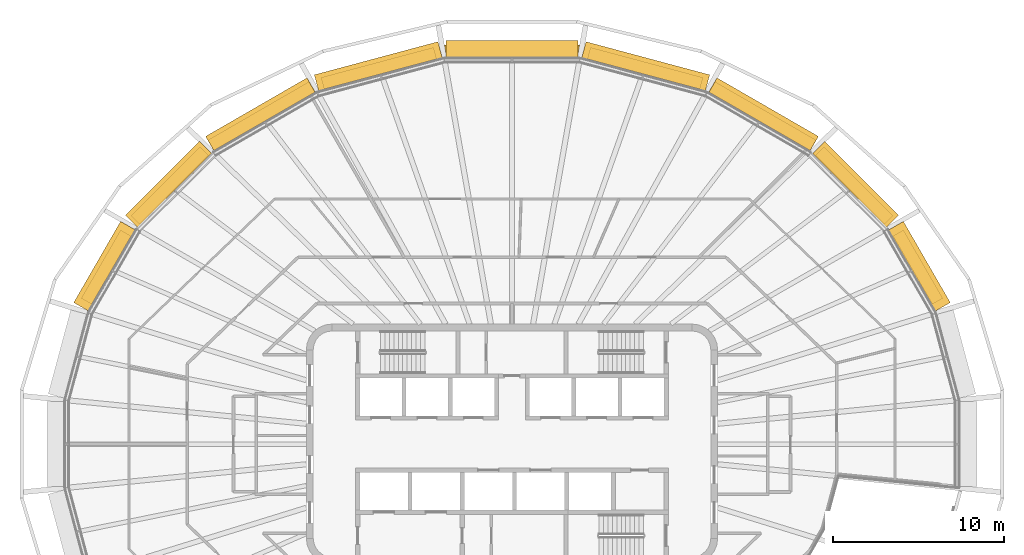
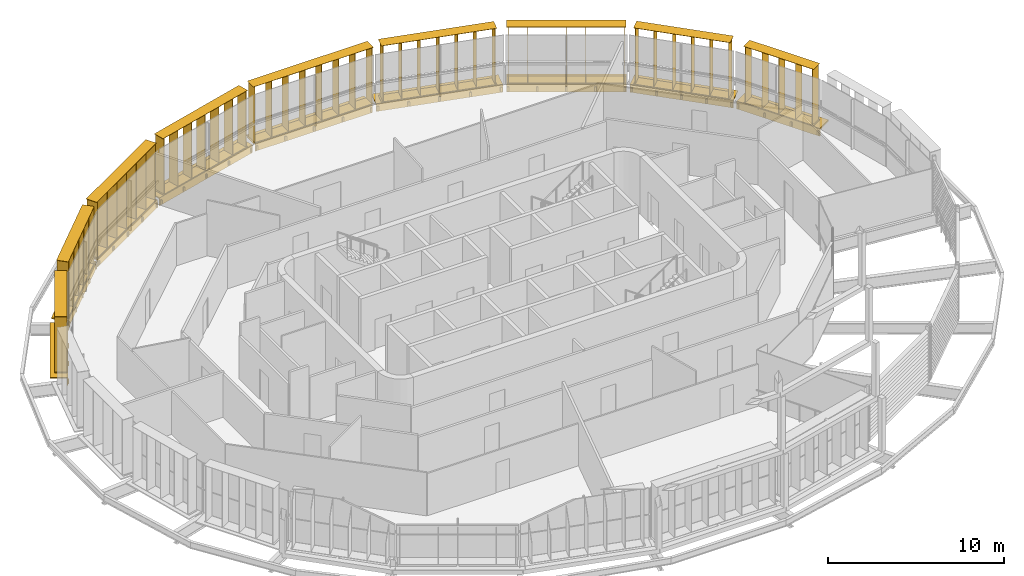
# One storey, part 18 of 18: 18 shading devices.
"""IFC4 building model written with IfcOpenShell, lengths in metres."""

from ifc_helpers import new_model, si_unit, direction, frame, origin, origin_2d, place, context, subcontext, project, spatial, rectangle, extrude, material, type_object, element, save


model = new_model("IFC4")

# Units and contexts
model_context = context("Model", 3, precision=1e-05, world=origin(), true_north=direction((0.0, 1.0)))
body_context = subcontext(model_context, "Body", "Model", "MODEL_VIEW")
ifc_project = project(units=[si_unit("LENGTHUNIT", "METRE"), si_unit("AREAUNIT", "SQUARE_METRE"), si_unit("VOLUMEUNIT", "CUBIC_METRE"), si_unit("PLANEANGLEUNIT", "RADIAN"), si_unit("MASSUNIT", "GRAM", prefix="KILO")], contexts=[model_context])

# Site, building, storey
site_placement = place(None, origin())
site = spatial("IfcSite", under=ifc_project, at=site_placement, CompositionType="ELEMENT")
building_placement = place(site_placement, origin())
building = spatial("IfcBuilding", under=site, at=building_placement, Name="Sahrelin Media Tower", CompositionType="ELEMENT")
storey_placement = place(building_placement, frame((0.0, 0.0, 308.39990234375)))
storey = spatial("IfcBuildingStorey", under=building, at=storey_placement, Name="L68", CompositionType="ELEMENT", Elevation=308.39990234375)

# Shading devices
ifc_material = material(Name="Champagne anodised aluminium 6063-T6", Category="aluminium")
shading_device_type_1 = type_object("IfcShadingDeviceType", Name="Fin cassette", PredefinedType="USERDEFINED", material=ifc_material)
placement_1 = place(storey_placement, frame((23.31787109375, 10.11181640625, 0.0), z_axis=(0.0, 0.0, 1.0), x_axis=(0.500011000363, -0.866019052629, 0.0)))
element("IfcShadingDevice", 1, at=placement_1, inside=storey, type_object=shading_device_type_1, Name="L68:FIN:L68-02", ObjectType="FIN", PredefinedType="USERDEFINED", context=body_context, shape_type="SweptSolid", body=[
    extrude(rectangle(XDim=4.60009765625, YDim=0.699951171875, at=origin_2d()), frame((0.0, 0.419921875, 0.0)), (0.0, 0.0, 1.0), 0.02001953125),
    extrude(rectangle(XDim=4.60009765625, YDim=0.699951171875, at=origin_2d()), frame((0.0, 0.419921875, 3.89990234375)), (0.0, 0.0, 1.0), 0.02001953125),
    extrude(rectangle(XDim=0.02001953125, YDim=0.699951171875, at=origin_2d()), frame((-2.199951171875, 0.419921875, 0.010009765625), z_axis=(0.0, 0.0, 1.0), x_axis=(1.0, 0.0, 0.0)), (0.0, 0.0, 1.0), 3.89990234375),
    extrude(rectangle(XDim=0.02001953125, YDim=0.699951171875, at=origin_2d()), frame((-1.10009765625, 0.419921875, 0.010009765625), z_axis=(0.0, 0.0, 1.0), x_axis=(1.0, 0.0, 0.0)), (0.0, 0.0, 1.0), 3.89990234375),
    extrude(rectangle(XDim=0.02001953125, YDim=0.699951171875, at=origin_2d()), frame((0.0, 0.419921875, 0.010009765625), z_axis=(0.0, 0.0, 1.0), x_axis=(1.0, 0.0, 0.0)), (0.0, 0.0, 1.0), 3.89990234375),
    extrude(rectangle(XDim=0.02001953125, YDim=0.699951171875, at=origin_2d()), frame((1.10009765625, 0.419921875, 0.010009765625), z_axis=(0.0, 0.0, 1.0), x_axis=(1.0, 0.0, 0.0)), (0.0, 0.0, 1.0), 3.89990234375),
    extrude(rectangle(XDim=0.02001953125, YDim=0.699951171875, at=origin_2d()), frame((2.199951171875, 0.419921875, 0.010009765625), z_axis=(0.0, 0.0, 1.0), x_axis=(1.0, 0.0, 0.0)), (0.0, 0.0, 1.0), 3.89990234375),
])
placement_2 = place(storey_placement, frame((19.677490234375, 14.789306640625, 0.0), z_axis=(0.0, 0.0, 1.0), x_axis=(0.707106781187, -0.707106781187, 0.0)))
element("IfcShadingDevice", 2, at=placement_2, inside=storey, type_object=shading_device_type_1, Name="L68:FIN:L68-03", ObjectType="FIN", PredefinedType="USERDEFINED", context=body_context, shape_type="SweptSolid", body=[
    extrude(rectangle(XDim=5.699951171875, YDim=0.699951171875, at=origin_2d()), frame((0.0, 0.419921875, 0.0)), (0.0, 0.0, 1.0), 0.02001953125),
    extrude(rectangle(XDim=5.699951171875, YDim=0.699951171875, at=origin_2d()), frame((0.0, 0.419921875, 3.89990234375)), (0.0, 0.0, 1.0), 0.02001953125),
    extrude(rectangle(XDim=0.02001953125, YDim=0.699951171875, at=origin_2d()), frame((-2.75, 0.419921875, 0.010009765625), z_axis=(0.0, 0.0, 1.0), x_axis=(1.0, 0.0, 0.0)), (0.0, 0.0, 1.0), 3.89990234375),
    extrude(rectangle(XDim=0.02001953125, YDim=0.699951171875, at=origin_2d()), frame((-1.64990234375, 0.419921875, 0.010009765625), z_axis=(0.0, 0.0, 1.0), x_axis=(1.0, 0.0, 0.0)), (0.0, 0.0, 1.0), 3.89990234375),
    extrude(rectangle(XDim=0.02001953125, YDim=0.699951171875, at=origin_2d()), frame((-0.550048828125, 0.419921875, 0.010009765625), z_axis=(0.0, 0.0, 1.0), x_axis=(1.0, 0.0, 0.0)), (0.0, 0.0, 1.0), 3.89990234375),
    extrude(rectangle(XDim=0.02001953125, YDim=0.699951171875, at=origin_2d()), frame((0.550048828125, 0.419921875, 0.010009765625), z_axis=(0.0, 0.0, 1.0), x_axis=(1.0, 0.0, 0.0)), (0.0, 0.0, 1.0), 3.89990234375),
    extrude(rectangle(XDim=0.02001953125, YDim=0.699951171875, at=origin_2d()), frame((1.64990234375, 0.419921875, 0.010009765625), z_axis=(0.0, 0.0, 1.0), x_axis=(1.0, 0.0, 0.0)), (0.0, 0.0, 1.0), 3.89990234375),
    extrude(rectangle(XDim=0.02001953125, YDim=0.699951171875, at=origin_2d()), frame((2.75, 0.419921875, 0.010009765625), z_axis=(0.0, 0.0, 1.0), x_axis=(1.0, 0.0, 0.0)), (0.0, 0.0, 1.0), 3.89990234375),
])
placement_3 = place(storey_placement, frame((14.408935546875, 18.771240234375, 0.0), z_axis=(0.0, 0.0, 1.0), x_axis=(0.866019052629, -0.500011000363, 0.0)))
element("IfcShadingDevice", 3, at=placement_3, inside=storey, type_object=shading_device_type_1, Name="L68:FIN:L68-04", ObjectType="FIN", PredefinedType="USERDEFINED", context=body_context, shape_type="SweptSolid", body=[
    extrude(rectangle(XDim=6.800048828125, YDim=0.699951171875, at=origin_2d()), frame((0.0, 0.419921875, 0.0)), (0.0, 0.0, 1.0), 0.02001953125),
    extrude(rectangle(XDim=6.800048828125, YDim=0.699951171875, at=origin_2d()), frame((0.0, 0.419921875, 3.89990234375)), (0.0, 0.0, 1.0), 0.02001953125),
    extrude(rectangle(XDim=0.02001953125, YDim=0.699951171875, at=origin_2d()), frame((-3.300048828125, 0.419921875, 0.010009765625), z_axis=(0.0, 0.0, 1.0), x_axis=(1.0, 0.0, 0.0)), (0.0, 0.0, 1.0), 3.89990234375),
    extrude(rectangle(XDim=0.02001953125, YDim=0.699951171875, at=origin_2d()), frame((-2.199951171875, 0.419921875, 0.010009765625), z_axis=(0.0, 0.0, 1.0), x_axis=(1.0, 0.0, 0.0)), (0.0, 0.0, 1.0), 3.89990234375),
    extrude(rectangle(XDim=0.02001953125, YDim=0.699951171875, at=origin_2d()), frame((-1.10009765625, 0.419921875, 0.010009765625), z_axis=(0.0, 0.0, 1.0), x_axis=(1.0, 0.0, 0.0)), (0.0, 0.0, 1.0), 3.89990234375),
    extrude(rectangle(XDim=0.02001953125, YDim=0.699951171875, at=origin_2d()), frame((0.0, 0.419921875, 0.010009765625), z_axis=(0.0, 0.0, 1.0), x_axis=(1.0, 0.0, 0.0)), (0.0, 0.0, 1.0), 3.89990234375),
    extrude(rectangle(XDim=0.02001953125, YDim=0.699951171875, at=origin_2d()), frame((1.10009765625, 0.419921875, 0.010009765625), z_axis=(0.0, 0.0, 1.0), x_axis=(1.0, 0.0, 0.0)), (0.0, 0.0, 1.0), 3.89990234375),
    extrude(rectangle(XDim=0.02001953125, YDim=0.699951171875, at=origin_2d()), frame((2.199951171875, 0.419921875, 0.010009765625), z_axis=(0.0, 0.0, 1.0), x_axis=(1.0, 0.0, 0.0)), (0.0, 0.0, 1.0), 3.89990234375),
    extrude(rectangle(XDim=0.02001953125, YDim=0.699951171875, at=origin_2d()), frame((3.300048828125, 0.419921875, 0.010009765625), z_axis=(0.0, 0.0, 1.0), x_axis=(1.0, 0.0, 0.0)), (0.0, 0.0, 1.0), 3.89990234375),
])
placement_4 = place(storey_placement, frame((7.662109375, 21.52099609375, 0.0), z_axis=(0.0, 0.0, 1.0), x_axis=(0.965928857556, -0.258807731996, 0.0)))
element("IfcShadingDevice", 4, at=placement_4, inside=storey, type_object=shading_device_type_1, Name="L68:FIN:L68-05", ObjectType="FIN", PredefinedType="USERDEFINED", context=body_context, shape_type="SweptSolid", body=[
    extrude(rectangle(XDim=6.800048828125, YDim=0.699951171875, at=origin_2d()), frame((0.0, 0.419921875, 0.0)), (0.0, 0.0, 1.0), 0.02001953125),
    extrude(rectangle(XDim=6.800048828125, YDim=0.699951171875, at=origin_2d()), frame((0.0, 0.419921875, 3.89990234375)), (0.0, 0.0, 1.0), 0.02001953125),
    extrude(rectangle(XDim=0.02001953125, YDim=0.699951171875, at=origin_2d()), frame((-3.300048828125, 0.419921875, 0.010009765625), z_axis=(0.0, 0.0, 1.0), x_axis=(1.0, 0.0, 0.0)), (0.0, 0.0, 1.0), 3.89990234375),
    extrude(rectangle(XDim=0.02001953125, YDim=0.699951171875, at=origin_2d()), frame((-2.199951171875, 0.419921875, 0.010009765625), z_axis=(0.0, 0.0, 1.0), x_axis=(1.0, 0.0, 0.0)), (0.0, 0.0, 1.0), 3.89990234375),
    extrude(rectangle(XDim=0.02001953125, YDim=0.699951171875, at=origin_2d()), frame((-1.10009765625, 0.419921875, 0.010009765625), z_axis=(0.0, 0.0, 1.0), x_axis=(1.0, 0.0, 0.0)), (0.0, 0.0, 1.0), 3.89990234375),
    extrude(rectangle(XDim=0.02001953125, YDim=0.699951171875, at=origin_2d()), frame((0.0, 0.419921875, 0.010009765625), z_axis=(0.0, 0.0, 1.0), x_axis=(1.0, 0.0, 0.0)), (0.0, 0.0, 1.0), 3.89990234375),
    extrude(rectangle(XDim=0.02001953125, YDim=0.699951171875, at=origin_2d()), frame((1.10009765625, 0.419921875, 0.010009765625), z_axis=(0.0, 0.0, 1.0), x_axis=(1.0, 0.0, 0.0)), (0.0, 0.0, 1.0), 3.89990234375),
    extrude(rectangle(XDim=0.02001953125, YDim=0.699951171875, at=origin_2d()), frame((2.199951171875, 0.419921875, 0.010009765625), z_axis=(0.0, 0.0, 1.0), x_axis=(1.0, 0.0, 0.0)), (0.0, 0.0, 1.0), 3.89990234375),
    extrude(rectangle(XDim=0.02001953125, YDim=0.699951171875, at=origin_2d()), frame((3.300048828125, 0.419921875, 0.010009765625), z_axis=(0.0, 0.0, 1.0), x_axis=(1.0, 0.0, 0.0)), (0.0, 0.0, 1.0), 3.89990234375),
])
placement_5 = place(storey_placement, frame((0.0, 22.512939453125, 0.0), z_axis=(0.0, 0.0, 1.0), x_axis=(1.0, 0.0, 0.0)))
element("IfcShadingDevice", 5, at=placement_5, inside=storey, type_object=shading_device_type_1, Name="L68:FIN:L68-06", ObjectType="FIN", PredefinedType="USERDEFINED", context=body_context, shape_type="SweptSolid", body=[
    extrude(rectangle(XDim=7.89990234375, YDim=0.699951171875, at=origin_2d()), frame((0.0, 0.419921875, 0.0)), (0.0, 0.0, 1.0), 0.02001953125),
    extrude(rectangle(XDim=7.89990234375, YDim=0.699951171875, at=origin_2d()), frame((0.0, 0.419921875, 3.89990234375)), (0.0, 0.0, 1.0), 0.02001953125),
    extrude(rectangle(XDim=0.02001953125, YDim=0.699951171875, at=origin_2d()), frame((-3.85009765625, 0.419921875, 0.010009765625), z_axis=(0.0, 0.0, 1.0), x_axis=(1.0, 0.0, 0.0)), (0.0, 0.0, 1.0), 3.89990234375),
    extrude(rectangle(XDim=0.02001953125, YDim=0.699951171875, at=origin_2d()), frame((-2.75, 0.419921875, 0.010009765625), z_axis=(0.0, 0.0, 1.0), x_axis=(1.0, 0.0, 0.0)), (0.0, 0.0, 1.0), 3.89990234375),
    extrude(rectangle(XDim=0.02001953125, YDim=0.699951171875, at=origin_2d()), frame((-1.64990234375, 0.419921875, 0.010009765625), z_axis=(0.0, 0.0, 1.0), x_axis=(1.0, 0.0, 0.0)), (0.0, 0.0, 1.0), 3.89990234375),
    extrude(rectangle(XDim=0.02001953125, YDim=0.699951171875, at=origin_2d()), frame((-0.550048828125, 0.419921875, 0.010009765625), z_axis=(0.0, 0.0, 1.0), x_axis=(1.0, 0.0, 0.0)), (0.0, 0.0, 1.0), 3.89990234375),
    extrude(rectangle(XDim=0.02001953125, YDim=0.699951171875, at=origin_2d()), frame((0.550048828125, 0.419921875, 0.010009765625), z_axis=(0.0, 0.0, 1.0), x_axis=(1.0, 0.0, 0.0)), (0.0, 0.0, 1.0), 3.89990234375),
    extrude(rectangle(XDim=0.02001953125, YDim=0.699951171875, at=origin_2d()), frame((1.64990234375, 0.419921875, 0.010009765625), z_axis=(0.0, 0.0, 1.0), x_axis=(1.0, 0.0, 0.0)), (0.0, 0.0, 1.0), 3.89990234375),
    extrude(rectangle(XDim=0.02001953125, YDim=0.699951171875, at=origin_2d()), frame((2.75, 0.419921875, 0.010009765625), z_axis=(0.0, 0.0, 1.0), x_axis=(1.0, 0.0, 0.0)), (0.0, 0.0, 1.0), 3.89990234375),
    extrude(rectangle(XDim=0.02001953125, YDim=0.699951171875, at=origin_2d()), frame((3.85009765625, 0.419921875, 0.010009765625), z_axis=(0.0, 0.0, 1.0), x_axis=(1.0, 0.0, 0.0)), (0.0, 0.0, 1.0), 3.89990234375),
])
placement_6 = place(storey_placement, frame((-7.662109375, 21.52099609375, 0.0), z_axis=(0.0, 0.0, 1.0), x_axis=(0.965928857556, 0.258807731996, 0.0)))
element("IfcShadingDevice", 6, at=placement_6, inside=storey, type_object=shading_device_type_1, Name="L68:FIN:L68-07", ObjectType="FIN", PredefinedType="USERDEFINED", context=body_context, shape_type="SweptSolid", body=[
    extrude(rectangle(XDim=6.800048828125, YDim=0.699951171875, at=origin_2d()), frame((0.0, 0.419921875, 0.0)), (0.0, 0.0, 1.0), 0.02001953125),
    extrude(rectangle(XDim=6.800048828125, YDim=0.699951171875, at=origin_2d()), frame((0.0, 0.419921875, 3.89990234375)), (0.0, 0.0, 1.0), 0.02001953125),
    extrude(rectangle(XDim=0.02001953125, YDim=0.699951171875, at=origin_2d()), frame((-3.300048828125, 0.419921875, 0.010009765625), z_axis=(0.0, 0.0, 1.0), x_axis=(1.0, 0.0, 0.0)), (0.0, 0.0, 1.0), 3.89990234375),
    extrude(rectangle(XDim=0.02001953125, YDim=0.699951171875, at=origin_2d()), frame((-2.199951171875, 0.419921875, 0.010009765625), z_axis=(0.0, 0.0, 1.0), x_axis=(1.0, 0.0, 0.0)), (0.0, 0.0, 1.0), 3.89990234375),
    extrude(rectangle(XDim=0.02001953125, YDim=0.699951171875, at=origin_2d()), frame((-1.10009765625, 0.419921875, 0.010009765625), z_axis=(0.0, 0.0, 1.0), x_axis=(1.0, 0.0, 0.0)), (0.0, 0.0, 1.0), 3.89990234375),
    extrude(rectangle(XDim=0.02001953125, YDim=0.699951171875, at=origin_2d()), frame((0.0, 0.419921875, 0.010009765625), z_axis=(0.0, 0.0, 1.0), x_axis=(1.0, 0.0, 0.0)), (0.0, 0.0, 1.0), 3.89990234375),
    extrude(rectangle(XDim=0.02001953125, YDim=0.699951171875, at=origin_2d()), frame((1.10009765625, 0.419921875, 0.010009765625), z_axis=(0.0, 0.0, 1.0), x_axis=(1.0, 0.0, 0.0)), (0.0, 0.0, 1.0), 3.89990234375),
    extrude(rectangle(XDim=0.02001953125, YDim=0.699951171875, at=origin_2d()), frame((2.199951171875, 0.419921875, 0.010009765625), z_axis=(0.0, 0.0, 1.0), x_axis=(1.0, 0.0, 0.0)), (0.0, 0.0, 1.0), 3.89990234375),
    extrude(rectangle(XDim=0.02001953125, YDim=0.699951171875, at=origin_2d()), frame((3.300048828125, 0.419921875, 0.010009765625), z_axis=(0.0, 0.0, 1.0), x_axis=(1.0, 0.0, 0.0)), (0.0, 0.0, 1.0), 3.89990234375),
])
placement_7 = place(storey_placement, frame((-14.40869140625, 18.771240234375, 0.0), z_axis=(0.0, 0.0, 1.0), x_axis=(0.866019052629, 0.500011000363, 0.0)))
element("IfcShadingDevice", 7, at=placement_7, inside=storey, type_object=shading_device_type_1, Name="L68:FIN:L68-08", ObjectType="FIN", PredefinedType="USERDEFINED", context=body_context, shape_type="SweptSolid", body=[
    extrude(rectangle(XDim=6.800048828125, YDim=0.699951171875, at=origin_2d()), frame((0.0, 0.419921875, 0.0)), (0.0, 0.0, 1.0), 0.02001953125),
    extrude(rectangle(XDim=6.800048828125, YDim=0.699951171875, at=origin_2d()), frame((0.0, 0.419921875, 3.89990234375)), (0.0, 0.0, 1.0), 0.02001953125),
    extrude(rectangle(XDim=0.02001953125, YDim=0.699951171875, at=origin_2d()), frame((-3.300048828125, 0.419921875, 0.010009765625), z_axis=(0.0, 0.0, 1.0), x_axis=(1.0, 0.0, 0.0)), (0.0, 0.0, 1.0), 3.89990234375),
    extrude(rectangle(XDim=0.02001953125, YDim=0.699951171875, at=origin_2d()), frame((-2.199951171875, 0.419921875, 0.010009765625), z_axis=(0.0, 0.0, 1.0), x_axis=(1.0, 0.0, 0.0)), (0.0, 0.0, 1.0), 3.89990234375),
    extrude(rectangle(XDim=0.02001953125, YDim=0.699951171875, at=origin_2d()), frame((-1.10009765625, 0.419921875, 0.010009765625), z_axis=(0.0, 0.0, 1.0), x_axis=(1.0, 0.0, 0.0)), (0.0, 0.0, 1.0), 3.89990234375),
    extrude(rectangle(XDim=0.02001953125, YDim=0.699951171875, at=origin_2d()), frame((0.0, 0.419921875, 0.010009765625), z_axis=(0.0, 0.0, 1.0), x_axis=(1.0, 0.0, 0.0)), (0.0, 0.0, 1.0), 3.89990234375),
    extrude(rectangle(XDim=0.02001953125, YDim=0.699951171875, at=origin_2d()), frame((1.10009765625, 0.419921875, 0.010009765625), z_axis=(0.0, 0.0, 1.0), x_axis=(1.0, 0.0, 0.0)), (0.0, 0.0, 1.0), 3.89990234375),
    extrude(rectangle(XDim=0.02001953125, YDim=0.699951171875, at=origin_2d()), frame((2.199951171875, 0.419921875, 0.010009765625), z_axis=(0.0, 0.0, 1.0), x_axis=(1.0, 0.0, 0.0)), (0.0, 0.0, 1.0), 3.89990234375),
    extrude(rectangle(XDim=0.02001953125, YDim=0.699951171875, at=origin_2d()), frame((3.300048828125, 0.419921875, 0.010009765625), z_axis=(0.0, 0.0, 1.0), x_axis=(1.0, 0.0, 0.0)), (0.0, 0.0, 1.0), 3.89990234375),
])
placement_8 = place(storey_placement, frame((-19.677490234375, 14.78955078125, 0.0), z_axis=(0.0, 0.0, 1.0), x_axis=(0.707106781187, 0.707106781187, 0.0)))
element("IfcShadingDevice", 8, at=placement_8, inside=storey, type_object=shading_device_type_1, Name="L68:FIN:L68-09", ObjectType="FIN", PredefinedType="USERDEFINED", context=body_context, shape_type="SweptSolid", body=[
    extrude(rectangle(XDim=5.699951171875, YDim=0.699951171875, at=origin_2d()), frame((0.0, 0.419921875, 0.0)), (0.0, 0.0, 1.0), 0.02001953125),
    extrude(rectangle(XDim=5.699951171875, YDim=0.699951171875, at=origin_2d()), frame((0.0, 0.419921875, 3.89990234375)), (0.0, 0.0, 1.0), 0.02001953125),
    extrude(rectangle(XDim=0.02001953125, YDim=0.699951171875, at=origin_2d()), frame((-2.75, 0.419921875, 0.010009765625), z_axis=(0.0, 0.0, 1.0), x_axis=(1.0, 0.0, 0.0)), (0.0, 0.0, 1.0), 3.89990234375),
    extrude(rectangle(XDim=0.02001953125, YDim=0.699951171875, at=origin_2d()), frame((-1.64990234375, 0.419921875, 0.010009765625), z_axis=(0.0, 0.0, 1.0), x_axis=(1.0, 0.0, 0.0)), (0.0, 0.0, 1.0), 3.89990234375),
    extrude(rectangle(XDim=0.02001953125, YDim=0.699951171875, at=origin_2d()), frame((-0.550048828125, 0.419921875, 0.010009765625), z_axis=(0.0, 0.0, 1.0), x_axis=(1.0, 0.0, 0.0)), (0.0, 0.0, 1.0), 3.89990234375),
    extrude(rectangle(XDim=0.02001953125, YDim=0.699951171875, at=origin_2d()), frame((0.550048828125, 0.419921875, 0.010009765625), z_axis=(0.0, 0.0, 1.0), x_axis=(1.0, 0.0, 0.0)), (0.0, 0.0, 1.0), 3.89990234375),
    extrude(rectangle(XDim=0.02001953125, YDim=0.699951171875, at=origin_2d()), frame((1.64990234375, 0.419921875, 0.010009765625), z_axis=(0.0, 0.0, 1.0), x_axis=(1.0, 0.0, 0.0)), (0.0, 0.0, 1.0), 3.89990234375),
    extrude(rectangle(XDim=0.02001953125, YDim=0.699951171875, at=origin_2d()), frame((2.75, 0.419921875, 0.010009765625), z_axis=(0.0, 0.0, 1.0), x_axis=(1.0, 0.0, 0.0)), (0.0, 0.0, 1.0), 3.89990234375),
])
placement_9 = place(storey_placement, frame((-23.318115234375, 10.11181640625, 0.0), z_axis=(0.0, 0.0, 1.0), x_axis=(0.500011000363, 0.866019052629, 0.0)))
element("IfcShadingDevice", 9, at=placement_9, inside=storey, type_object=shading_device_type_1, Name="L68:FIN:L68-10", ObjectType="FIN", PredefinedType="USERDEFINED", context=body_context, shape_type="SweptSolid", body=[
    extrude(rectangle(XDim=4.60009765625, YDim=0.699951171875, at=origin_2d()), frame((0.0, 0.419921875, 0.0)), (0.0, 0.0, 1.0), 0.02001953125),
    extrude(rectangle(XDim=4.60009765625, YDim=0.699951171875, at=origin_2d()), frame((0.0, 0.419921875, 3.89990234375)), (0.0, 0.0, 1.0), 0.02001953125),
    extrude(rectangle(XDim=0.02001953125, YDim=0.699951171875, at=origin_2d()), frame((-2.199951171875, 0.419921875, 0.010009765625), z_axis=(0.0, 0.0, 1.0), x_axis=(1.0, 0.0, 0.0)), (0.0, 0.0, 1.0), 3.89990234375),
    extrude(rectangle(XDim=0.02001953125, YDim=0.699951171875, at=origin_2d()), frame((-1.10009765625, 0.419921875, 0.010009765625), z_axis=(0.0, 0.0, 1.0), x_axis=(1.0, 0.0, 0.0)), (0.0, 0.0, 1.0), 3.89990234375),
    extrude(rectangle(XDim=0.02001953125, YDim=0.699951171875, at=origin_2d()), frame((0.0, 0.419921875, 0.010009765625), z_axis=(0.0, 0.0, 1.0), x_axis=(1.0, 0.0, 0.0)), (0.0, 0.0, 1.0), 3.89990234375),
    extrude(rectangle(XDim=0.02001953125, YDim=0.699951171875, at=origin_2d()), frame((1.10009765625, 0.419921875, 0.010009765625), z_axis=(0.0, 0.0, 1.0), x_axis=(1.0, 0.0, 0.0)), (0.0, 0.0, 1.0), 3.89990234375),
    extrude(rectangle(XDim=0.02001953125, YDim=0.699951171875, at=origin_2d()), frame((2.199951171875, 0.419921875, 0.010009765625), z_axis=(0.0, 0.0, 1.0), x_axis=(1.0, 0.0, 0.0)), (0.0, 0.0, 1.0), 3.89990234375),
])
shading_device_type_2 = type_object("IfcShadingDeviceType", Name="Sunshade band", PredefinedType="USERDEFINED", material=ifc_material)
element("IfcShadingDevice", 10, at=placement_1, inside=storey, type_object=shading_device_type_2, Name="L68:SUN:L68-02", ObjectType="SUNSHADE", PredefinedType="USERDEFINED", context=body_context, shape_type="SweptSolid", body=[
    extrude(rectangle(XDim=5.46630859375, YDim=0.050048828125, at=origin_2d()), frame((0.0, 0.044921875, -0.55126953125)), (0.0, 0.0, 1.0), 0.471435546875),
    extrude(rectangle(XDim=5.46630859375, YDim=1.0, at=origin_2d()), frame((0.0, 0.52001953125, -0.080078125)), (0.0, 0.0, 1.0), 0.080078125),
    extrude(rectangle(XDim=0.10009765625, YDim=0.074951171875, at=origin_2d()), frame((-2.63330078125, -0.017578125, -0.47021484375)), (0.0, 0.0, 1.0), 0.300048828125),
    extrude(rectangle(XDim=0.10009765625, YDim=0.074951171875, at=origin_2d()), frame((-0.877685546875, -0.017578125, -0.47021484375)), (0.0, 0.0, 1.0), 0.300048828125),
    extrude(rectangle(XDim=0.10009765625, YDim=0.074951171875, at=origin_2d()), frame((0.877685546875, -0.017578125, -0.47021484375)), (0.0, 0.0, 1.0), 0.300048828125),
    extrude(rectangle(XDim=0.10009765625, YDim=0.074951171875, at=origin_2d()), frame((2.63330078125, -0.017578125, -0.47021484375)), (0.0, 0.0, 1.0), 0.300048828125),
])
element("IfcShadingDevice", 11, at=placement_2, inside=storey, type_object=shading_device_type_2, Name="L68:SUN:L68-03", ObjectType="SUNSHADE", PredefinedType="USERDEFINED", context=body_context, shape_type="SweptSolid", body=[
    extrude(rectangle(XDim=6.09033203125, YDim=0.050048828125, at=origin_2d()), frame((0.0, 0.044921875, -0.55126953125)), (0.0, 0.0, 1.0), 0.471435546875),
    extrude(rectangle(XDim=6.09033203125, YDim=1.0, at=origin_2d()), frame((0.0, 0.52001953125, -0.080078125)), (0.0, 0.0, 1.0), 0.080078125),
    extrude(rectangle(XDim=0.10009765625, YDim=0.074951171875, at=origin_2d()), frame((-2.945068359375, -0.017578125, -0.47021484375)), (0.0, 0.0, 1.0), 0.300048828125),
    extrude(rectangle(XDim=0.10009765625, YDim=0.074951171875, at=origin_2d()), frame((-1.47265625, -0.017578125, -0.47021484375)), (0.0, 0.0, 1.0), 0.300048828125),
    extrude(rectangle(XDim=0.10009765625, YDim=0.074951171875, at=origin_2d()), frame((0.0, -0.017578125, -0.47021484375)), (0.0, 0.0, 1.0), 0.300048828125),
    extrude(rectangle(XDim=0.10009765625, YDim=0.074951171875, at=origin_2d()), frame((1.47265625, -0.017578125, -0.47021484375)), (0.0, 0.0, 1.0), 0.300048828125),
    extrude(rectangle(XDim=0.10009765625, YDim=0.074951171875, at=origin_2d()), frame((2.945068359375, -0.017578125, -0.47021484375)), (0.0, 0.0, 1.0), 0.300048828125),
])
element("IfcShadingDevice", 12, at=placement_3, inside=storey, type_object=shading_device_type_2, Name="L68:SUN:L68-04", ObjectType="SUNSHADE", PredefinedType="USERDEFINED", context=body_context, shape_type="SweptSolid", body=[
    extrude(rectangle(XDim=6.831298828125, YDim=0.050048828125, at=origin_2d()), frame((0.0, 0.044921875, -0.55126953125)), (0.0, 0.0, 1.0), 0.471435546875),
    extrude(rectangle(XDim=6.831298828125, YDim=1.0, at=origin_2d()), frame((0.0, 0.52001953125, -0.080078125)), (0.0, 0.0, 1.0), 0.080078125),
    extrude(rectangle(XDim=0.10009765625, YDim=0.074951171875, at=origin_2d()), frame((-3.315673828125, -0.017578125, -0.47021484375)), (0.0, 0.0, 1.0), 0.300048828125),
    extrude(rectangle(XDim=0.10009765625, YDim=0.074951171875, at=origin_2d()), frame((-1.65771484375, -0.017578125, -0.47021484375)), (0.0, 0.0, 1.0), 0.300048828125),
    extrude(rectangle(XDim=0.10009765625, YDim=0.074951171875, at=origin_2d()), frame((0.0, -0.017578125, -0.47021484375)), (0.0, 0.0, 1.0), 0.300048828125),
    extrude(rectangle(XDim=0.10009765625, YDim=0.074951171875, at=origin_2d()), frame((1.65771484375, -0.017578125, -0.47021484375)), (0.0, 0.0, 1.0), 0.300048828125),
    extrude(rectangle(XDim=0.10009765625, YDim=0.074951171875, at=origin_2d()), frame((3.315673828125, -0.017578125, -0.47021484375)), (0.0, 0.0, 1.0), 0.300048828125),
])
element("IfcShadingDevice", 13, at=placement_4, inside=storey, type_object=shading_device_type_2, Name="L68:SUN:L68-05", ObjectType="SUNSHADE", PredefinedType="USERDEFINED", context=body_context, shape_type="SweptSolid", body=[
    extrude(rectangle(XDim=7.46533203125, YDim=0.050048828125, at=origin_2d()), frame((0.0, 0.044921875, -0.55126953125)), (0.0, 0.0, 1.0), 0.471435546875),
    extrude(rectangle(XDim=7.46533203125, YDim=1.0, at=origin_2d()), frame((0.0, 0.52001953125, -0.080078125)), (0.0, 0.0, 1.0), 0.080078125),
    extrude(rectangle(XDim=0.10009765625, YDim=0.074951171875, at=origin_2d()), frame((-3.6328125, -0.017578125, -0.47021484375)), (0.0, 0.0, 1.0), 0.300048828125),
    extrude(rectangle(XDim=0.10009765625, YDim=0.074951171875, at=origin_2d()), frame((-1.81640625, -0.017578125, -0.47021484375)), (0.0, 0.0, 1.0), 0.300048828125),
    extrude(rectangle(XDim=0.10009765625, YDim=0.074951171875, at=origin_2d()), frame((0.0, -0.017578125, -0.47021484375)), (0.0, 0.0, 1.0), 0.300048828125),
    extrude(rectangle(XDim=0.10009765625, YDim=0.074951171875, at=origin_2d()), frame((1.81640625, -0.017578125, -0.47021484375)), (0.0, 0.0, 1.0), 0.300048828125),
    extrude(rectangle(XDim=0.10009765625, YDim=0.074951171875, at=origin_2d()), frame((3.6328125, -0.017578125, -0.47021484375)), (0.0, 0.0, 1.0), 0.300048828125),
])
element("IfcShadingDevice", 14, at=placement_5, inside=storey, type_object=shading_device_type_2, Name="L68:SUN:L68-06", ObjectType="SUNSHADE", PredefinedType="USERDEFINED", context=body_context, shape_type="SweptSolid", body=[
    extrude(rectangle(XDim=7.72021484375, YDim=0.050048828125, at=origin_2d()), frame((0.0, 0.044921875, -0.55126953125)), (0.0, 0.0, 1.0), 0.471435546875),
    extrude(rectangle(XDim=7.72021484375, YDim=1.0, at=origin_2d()), frame((0.0, 0.52001953125, -0.080078125)), (0.0, 0.0, 1.0), 0.080078125),
    extrude(rectangle(XDim=0.10009765625, YDim=0.074951171875, at=origin_2d()), frame((-3.760009765625, -0.017578125, -0.47021484375)), (0.0, 0.0, 1.0), 0.300048828125),
    extrude(rectangle(XDim=0.10009765625, YDim=0.074951171875, at=origin_2d()), frame((-1.880126953125, -0.017578125, -0.47021484375)), (0.0, 0.0, 1.0), 0.300048828125),
    extrude(rectangle(XDim=0.10009765625, YDim=0.074951171875, at=origin_2d()), frame((0.0, -0.017578125, -0.47021484375)), (0.0, 0.0, 1.0), 0.300048828125),
    extrude(rectangle(XDim=0.10009765625, YDim=0.074951171875, at=origin_2d()), frame((1.8798828125, -0.017578125, -0.47021484375)), (0.0, 0.0, 1.0), 0.300048828125),
    extrude(rectangle(XDim=0.10009765625, YDim=0.074951171875, at=origin_2d()), frame((3.760009765625, -0.017578125, -0.47021484375)), (0.0, 0.0, 1.0), 0.300048828125),
])
element("IfcShadingDevice", 15, at=placement_6, inside=storey, type_object=shading_device_type_2, Name="L68:SUN:L68-07", ObjectType="SUNSHADE", PredefinedType="USERDEFINED", context=body_context, shape_type="SweptSolid", body=[
    extrude(rectangle(XDim=7.46533203125, YDim=0.050048828125, at=origin_2d()), frame((0.0, 0.044921875, -0.55126953125)), (0.0, 0.0, 1.0), 0.471435546875),
    extrude(rectangle(XDim=7.46533203125, YDim=1.0, at=origin_2d()), frame((0.0, 0.52001953125, -0.080078125)), (0.0, 0.0, 1.0), 0.080078125),
    extrude(rectangle(XDim=0.10009765625, YDim=0.074951171875, at=origin_2d()), frame((-3.6328125, -0.017578125, -0.47021484375)), (0.0, 0.0, 1.0), 0.300048828125),
    extrude(rectangle(XDim=0.10009765625, YDim=0.074951171875, at=origin_2d()), frame((-1.81640625, -0.017578125, -0.47021484375)), (0.0, 0.0, 1.0), 0.300048828125),
    extrude(rectangle(XDim=0.10009765625, YDim=0.074951171875, at=origin_2d()), frame((0.0, -0.017578125, -0.47021484375)), (0.0, 0.0, 1.0), 0.300048828125),
    extrude(rectangle(XDim=0.10009765625, YDim=0.074951171875, at=origin_2d()), frame((1.81640625, -0.017578125, -0.47021484375)), (0.0, 0.0, 1.0), 0.300048828125),
    extrude(rectangle(XDim=0.10009765625, YDim=0.074951171875, at=origin_2d()), frame((3.6328125, -0.017578125, -0.47021484375)), (0.0, 0.0, 1.0), 0.300048828125),
])
element("IfcShadingDevice", 16, at=placement_7, inside=storey, type_object=shading_device_type_2, Name="L68:SUN:L68-08", ObjectType="SUNSHADE", PredefinedType="USERDEFINED", context=body_context, shape_type="SweptSolid", body=[
    extrude(rectangle(XDim=6.831298828125, YDim=0.050048828125, at=origin_2d()), frame((0.0, 0.044921875, -0.55126953125)), (0.0, 0.0, 1.0), 0.471435546875),
    extrude(rectangle(XDim=6.831298828125, YDim=1.0, at=origin_2d()), frame((0.0, 0.52001953125, -0.080078125)), (0.0, 0.0, 1.0), 0.080078125),
    extrude(rectangle(XDim=0.10009765625, YDim=0.074951171875, at=origin_2d()), frame((-3.315673828125, -0.017578125, -0.47021484375)), (0.0, 0.0, 1.0), 0.300048828125),
    extrude(rectangle(XDim=0.10009765625, YDim=0.074951171875, at=origin_2d()), frame((-1.65771484375, -0.017578125, -0.47021484375)), (0.0, 0.0, 1.0), 0.300048828125),
    extrude(rectangle(XDim=0.10009765625, YDim=0.074951171875, at=origin_2d()), frame((0.0, -0.017578125, -0.47021484375)), (0.0, 0.0, 1.0), 0.300048828125),
    extrude(rectangle(XDim=0.10009765625, YDim=0.074951171875, at=origin_2d()), frame((1.65771484375, -0.017578125, -0.47021484375)), (0.0, 0.0, 1.0), 0.300048828125),
    extrude(rectangle(XDim=0.10009765625, YDim=0.074951171875, at=origin_2d()), frame((3.315673828125, -0.017578125, -0.47021484375)), (0.0, 0.0, 1.0), 0.300048828125),
])
element("IfcShadingDevice", 17, at=placement_8, inside=storey, type_object=shading_device_type_2, Name="L68:SUN:L68-09", ObjectType="SUNSHADE", PredefinedType="USERDEFINED", context=body_context, shape_type="SweptSolid", body=[
    extrude(rectangle(XDim=6.09033203125, YDim=0.050048828125, at=origin_2d()), frame((0.0, 0.044921875, -0.55126953125)), (0.0, 0.0, 1.0), 0.471435546875),
    extrude(rectangle(XDim=6.09033203125, YDim=1.0, at=origin_2d()), frame((0.0, 0.52001953125, -0.080078125)), (0.0, 0.0, 1.0), 0.080078125),
    extrude(rectangle(XDim=0.10009765625, YDim=0.074951171875, at=origin_2d()), frame((-2.945068359375, -0.017578125, -0.47021484375)), (0.0, 0.0, 1.0), 0.300048828125),
    extrude(rectangle(XDim=0.10009765625, YDim=0.074951171875, at=origin_2d()), frame((-1.47265625, -0.017578125, -0.47021484375)), (0.0, 0.0, 1.0), 0.300048828125),
    extrude(rectangle(XDim=0.10009765625, YDim=0.074951171875, at=origin_2d()), frame((0.0, -0.017578125, -0.47021484375)), (0.0, 0.0, 1.0), 0.300048828125),
    extrude(rectangle(XDim=0.10009765625, YDim=0.074951171875, at=origin_2d()), frame((1.47265625, -0.017578125, -0.47021484375)), (0.0, 0.0, 1.0), 0.300048828125),
    extrude(rectangle(XDim=0.10009765625, YDim=0.074951171875, at=origin_2d()), frame((2.945068359375, -0.017578125, -0.47021484375)), (0.0, 0.0, 1.0), 0.300048828125),
])
element("IfcShadingDevice", 18, at=placement_9, inside=storey, type_object=shading_device_type_2, Name="L68:SUN:L68-10", ObjectType="SUNSHADE", PredefinedType="USERDEFINED", context=body_context, shape_type="SweptSolid", body=[
    extrude(rectangle(XDim=5.46630859375, YDim=0.050048828125, at=origin_2d()), frame((0.0, 0.044921875, -0.55126953125)), (0.0, 0.0, 1.0), 0.471435546875),
    extrude(rectangle(XDim=5.46630859375, YDim=1.0, at=origin_2d()), frame((0.0, 0.52001953125, -0.080078125)), (0.0, 0.0, 1.0), 0.080078125),
    extrude(rectangle(XDim=0.10009765625, YDim=0.074951171875, at=origin_2d()), frame((-2.63330078125, -0.017578125, -0.47021484375)), (0.0, 0.0, 1.0), 0.300048828125),
    extrude(rectangle(XDim=0.10009765625, YDim=0.074951171875, at=origin_2d()), frame((-0.877685546875, -0.017578125, -0.47021484375)), (0.0, 0.0, 1.0), 0.300048828125),
    extrude(rectangle(XDim=0.10009765625, YDim=0.074951171875, at=origin_2d()), frame((0.877685546875, -0.017578125, -0.47021484375)), (0.0, 0.0, 1.0), 0.300048828125),
    extrude(rectangle(XDim=0.10009765625, YDim=0.074951171875, at=origin_2d()), frame((2.63330078125, -0.017578125, -0.47021484375)), (0.0, 0.0, 1.0), 0.300048828125),
])

save(model, "model.ifc")
